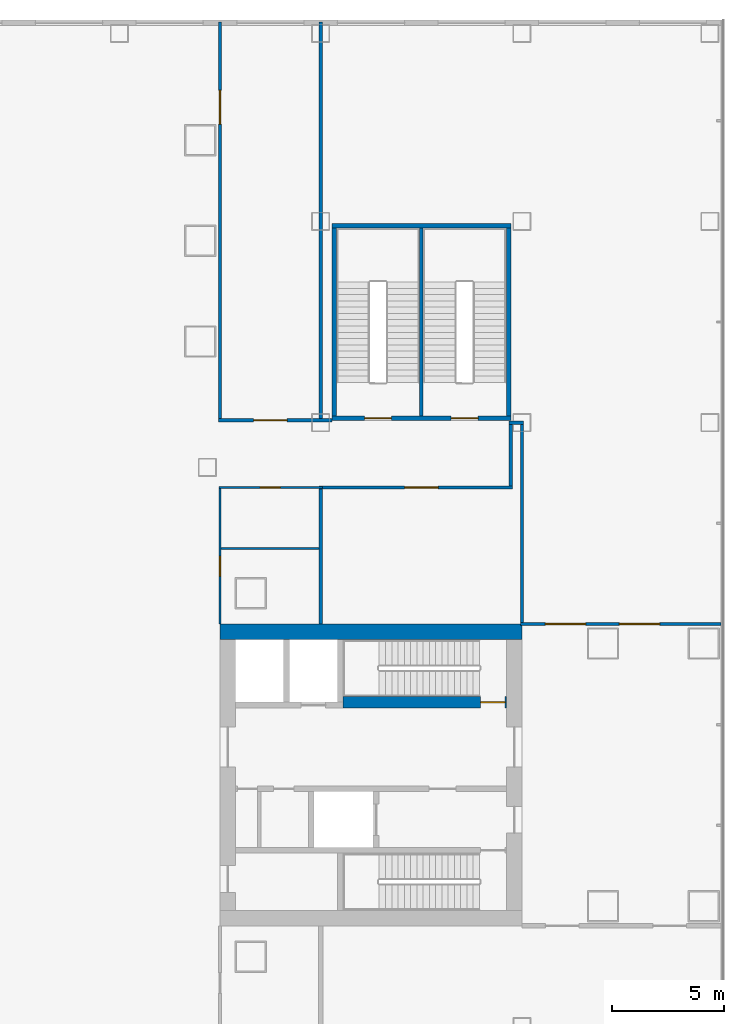
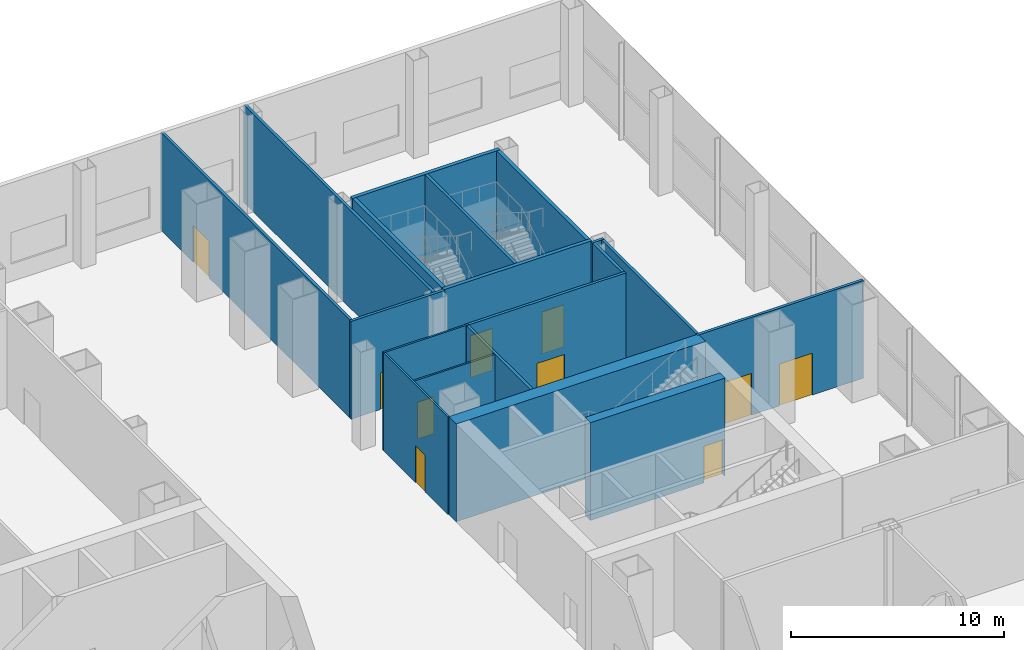
# One storey, part 23 of 33: 19 walls, 10 doors, 10 openings.
"""IFC4 building model written with IfcOpenShell, lengths in metres."""

from ifc_helpers import new_model, si_unit, direction, frame, frame_2d, origin, place, context, subcontext, project, spatial, rectangle, extrude, material, layer, layer_set, type_object, element, fill, save


model = new_model("IFC4")

# Units and contexts
model_context = context("Model", 3, precision=1e-05, world=origin(), true_north=direction((0.0, 1.0)))
body_context = subcontext(model_context, "Body", "Model", "MODEL_VIEW")
ifc_project = project(units=[si_unit("LENGTHUNIT", "METRE"), si_unit("AREAUNIT", "SQUARE_METRE"), si_unit("VOLUMEUNIT", "CUBIC_METRE"), si_unit("PLANEANGLEUNIT", "RADIAN"), si_unit("MASSUNIT", "GRAM", prefix="KILO")], contexts=[model_context])

# Site, building, storey
site_placement = place(None, origin())
site = spatial("IfcSite", under=ifc_project, at=site_placement, CompositionType="ELEMENT")
building_placement = place(site_placement, origin())
building = spatial("IfcBuilding", under=site, at=building_placement, Name="Shamsa Quay Exchange Towers", CompositionType="ELEMENT")
storey_placement = place(building_placement, frame((0.0, 0.0, 6.5)))
storey = spatial("IfcBuildingStorey", under=building, at=storey_placement, Name="L01", CompositionType="ELEMENT", Elevation=6.5)

# Wall
ifc_material_1 = material(Name="Concrete C80/95", Category="concrete")
ifc_layer_1 = layer(ifc_material_1, 0.699951171875)
ifc_layer_set_1 = layer_set([ifc_layer_1], Name="CORE WALL 700 C80/95")
wall_type_1 = type_object("IfcWallType", Name="CORE WALL 700 C80/95", PredefinedType="SHEAR", material=ifc_layer_set_1)
wall_1_placement = place(storey_placement, frame((54.0, 6.39990234375, 0.0), z_axis=(0.0, 0.0, 1.0), x_axis=(-1.0, 0.0, 0.0)))
element("IfcWall", 1, at=wall_1_placement, inside=storey, type_object=wall_type_1, Name="Core wall T2B-L01-PN", PredefinedType="SHEAR", context=body_context, shape_type="SweptSolid", body=[
    extrude(rectangle(XDim=13.5, YDim=0.699951171875, at=frame_2d((6.75, 0.0))), origin(), (0.0, 0.0, 1.0), 5.60009765625),
])

# Wall, opening, door
ifc_material_2 = material(Name="Gypsum board partition on metal studs")
ifc_layer_2 = layer(ifc_material_2, 0.10009765625)
ifc_layer_set_2 = layer_set([ifc_layer_2], Name="Partition 100 mm NOT RATED")
wall_type_2 = type_object("IfcWallType", Name="Partition 100 mm NOT RATED", PredefinedType="PARTITIONING", material=ifc_layer_set_2)
wall_2_placement = place(storey_placement, frame((40.5, 12.799560546875, 0.0), z_axis=(0.0, 0.0, 1.0), x_axis=(0.0, -1.0, 0.0)))
wall_2 = element("IfcWall", 2, at=wall_2_placement, inside=storey, type_object=wall_type_2, Name="Partition PD-L01-W11", PredefinedType="PARTITIONING", context=body_context, shape_type="SweptSolid", body=[
    extrude(rectangle(XDim=6.049560546875, YDim=0.10009765625, at=frame_2d((3.02490234375, 0.0))), origin(), (0.0, 0.0, 1.0), 5.60009765625),
])
opening_1_placement = place(wall_2_placement, frame((3.01220703125, 0.0, 0.0)))
opening_1 = element("IfcOpeningElement", 3, at=opening_1_placement, cuts=wall_2, Name="Opening PD-L01-D30", PredefinedType="OPENING", context=body_context, shape_type="SweptSolid", body=[
    extrude(rectangle(XDim=0.89990234375, YDim=2.10009765625, at=frame_2d((0.449951171875, 1.050048828125))), frame((0.0, 0.06005859375, 0.0), z_axis=(0.0, -1.0, 0.0), x_axis=(1.0, 0.0, 0.0)), (0.0, 0.0, 1.0), 0.1201171875),
])
ifc_material_3 = material(Name="Timber door leaf in a metal frame", Category="wood")
door_type_1 = type_object("IfcDoorType", Name="Door 900x2100 NOT RATED", OperationType="NOTDEFINED", PredefinedType="DOOR", material=ifc_material_3)
door_1_placement = place(opening_1_placement, origin())
door_1 = element("IfcDoor", 4, at=door_1_placement, inside=storey, type_object=door_type_1, Name="Door PD-L01-D30", OperationType="SINGLE_SWING_LEFT", OverallHeight=2.10009765625, OverallWidth=0.89990234375, PredefinedType="DOOR", context=body_context, shape_type="SweptSolid", body=[
    extrude(rectangle(XDim=0.89990234375, YDim=2.10009765625, at=frame_2d((0.449951171875, 1.050048828125))), frame((0.0, 0.02490234375, 0.0), z_axis=(0.0, -1.0, 0.0), x_axis=(1.0, 0.0, 0.0)), (0.0, 0.0, 1.0), 0.050048828125),
])
fill(opening_1, door_1)

wall_3_placement = place(storey_placement, frame((45.074951171875, 12.849609375, 0.0), z_axis=(0.0, 0.0, 1.0), x_axis=(-1.0, 0.0, 0.0)))
wall_3 = element("IfcWall", 5, at=wall_3_placement, inside=storey, type_object=wall_type_2, Name="Partition PD-L01-W31", PredefinedType="PARTITIONING", context=body_context, shape_type="SweptSolid", body=[
    extrude(rectangle(XDim=4.625, YDim=0.10009765625, at=frame_2d((2.3125, 0.0))), origin(), (0.0, 0.0, 1.0), 5.60009765625),
])
opening_2_placement = place(wall_3_placement, frame((1.875, 0.0, 0.0)))
opening_2 = element("IfcOpeningElement", 6, at=opening_2_placement, cuts=wall_3, Name="Opening PD-L01-D32", PredefinedType="OPENING", context=body_context, shape_type="SweptSolid", body=[
    extrude(rectangle(XDim=0.89990234375, YDim=2.10009765625, at=frame_2d((0.449951171875, 1.050048828125))), frame((0.0, 0.06005859375, 0.0), z_axis=(0.0, -1.0, 0.0), x_axis=(1.0, 0.0, 0.0)), (0.0, 0.0, 1.0), 0.1201171875),
])
door_2_placement = place(opening_2_placement, origin())
door_2 = element("IfcDoor", 7, at=door_2_placement, inside=storey, type_object=door_type_1, Name="Door PD-L01-D32", OperationType="SINGLE_SWING_LEFT", OverallHeight=2.10009765625, OverallWidth=0.89990234375, PredefinedType="DOOR", context=body_context, shape_type="SweptSolid", body=[
    extrude(rectangle(XDim=0.89990234375, YDim=2.10009765625, at=frame_2d((0.449951171875, 1.050048828125))), frame((0.0, 0.02490234375, 0.0), z_axis=(0.0, -1.0, 0.0), x_axis=(1.0, 0.0, 0.0)), (0.0, 0.0, 1.0), 0.050048828125),
])
fill(opening_2, door_2)

# Wall
wall_4_placement = place(storey_placement, frame((44.925048828125, 10.125, 0.0), z_axis=(0.0, 0.0, 1.0), x_axis=(-1.0, 0.0, 0.0)))
element("IfcWall", 8, at=wall_4_placement, inside=storey, type_object=wall_type_2, Name="Partition PD-L01-W68", PredefinedType="PARTITIONING", context=body_context, shape_type="SweptSolid", body=[
    extrude(rectangle(XDim=4.375, YDim=0.10009765625, at=frame_2d((2.1875, 0.0))), origin(), (0.0, 0.0, 1.0), 5.60009765625),
])

# Wall, opening, door
ifc_layer_3 = layer(ifc_material_2, 0.14990234375)
ifc_layer_set_3 = layer_set([ifc_layer_3], Name="Partition 150 mm EI 60")
wall_type_3 = type_object("IfcWallType", Name="Partition 150 mm EI 60", PredefinedType="PARTITIONING", material=ifc_layer_set_3)
wall_5_placement = place(storey_placement, frame((40.5, 15.924560546875, 0.0), z_axis=(0.0, 0.0, 1.0), x_axis=(0.0, 1.0, 0.0)))
wall_5 = element("IfcWall", 9, at=wall_5_placement, inside=storey, type_object=wall_type_3, Name="Partition PD-L01-W08", PredefinedType="PARTITIONING", context=body_context, shape_type="SweptSolid", body=[
    extrude(rectangle(XDim=17.73046875, YDim=0.14990234375, at=frame_2d((8.865234375, 0.0))), origin(), (0.0, 0.0, 1.0), 5.60009765625),
])
opening_3_placement = place(wall_5_placement, frame((13.17529296875, 0.0, 0.0)))
opening_3 = element("IfcOpeningElement", 10, at=opening_3_placement, cuts=wall_5, Name="Opening PD-L01-D31", PredefinedType="OPENING", context=body_context, shape_type="SweptSolid", body=[
    extrude(rectangle(XDim=1.5, YDim=2.10009765625, at=frame_2d((0.75, 1.050048828125))), frame((0.0, 0.0849609375, 0.0), z_axis=(0.0, -1.0, 0.0), x_axis=(1.0, 0.0, 0.0)), (0.0, 0.0, 1.0), 0.169921875),
])
door_type_2 = type_object("IfcDoorType", Name="Door 1500x2100 FD30S pair", OperationType="NOTDEFINED", PredefinedType="DOOR", material=ifc_material_3)
door_3_placement = place(opening_3_placement, origin())
door_3 = element("IfcDoor", 11, at=door_3_placement, inside=storey, type_object=door_type_2, Name="Door PD-L01-D31", OperationType="DOUBLE_DOOR_SINGLE_SWING", OverallHeight=2.10009765625, OverallWidth=1.5, PredefinedType="DOOR", context=body_context, shape_type="SweptSolid", body=[
    extrude(rectangle(XDim=1.5, YDim=2.10009765625, at=frame_2d((0.75, 1.050048828125))), frame((0.0, 0.02490234375, 0.0), z_axis=(0.0, -1.0, 0.0), x_axis=(1.0, 0.0, 0.0)), (0.0, 0.0, 1.0), 0.050048828125),
])
fill(opening_3, door_3)

# Wall, openings, doors
wall_6_placement = place(storey_placement, frame((62.905029296875, 6.75, 0.0), z_axis=(0.0, 0.0, 1.0), x_axis=(-1.0, 0.0, 0.0)))
wall_6 = element("IfcWall", 12, at=wall_6_placement, inside=storey, type_object=wall_type_3, Name="Partition PD-L01-W17", PredefinedType="PARTITIONING", context=body_context, shape_type="SweptSolid", body=[
    extrude(rectangle(XDim=8.97998046875, YDim=0.14990234375, at=frame_2d((4.489990234375, 0.0))), origin(), (0.0, 0.0, 1.0), 5.60009765625),
])
opening_4_placement = place(wall_6_placement, frame((2.7548828125, 0.0, 0.0)))
opening_4 = element("IfcOpeningElement", 13, at=opening_4_placement, cuts=wall_6, Name="Opening PD-L01-D37", PredefinedType="OPENING", context=body_context, shape_type="SweptSolid", body=[
    extrude(rectangle(XDim=1.800048828125, YDim=2.39990234375, at=frame_2d((0.89990234375, 1.199951171875))), frame((0.0, 0.0849609375, 0.0), z_axis=(0.0, -1.0, 0.0), x_axis=(1.0, 0.0, 0.0)), (0.0, 0.0, 1.0), 0.169921875),
])
opening_5_placement = place(wall_6_placement, frame((6.054931640625, 0.0, 0.0)))
opening_5 = element("IfcOpeningElement", 14, at=opening_5_placement, cuts=wall_6, Name="Opening PD-L01-D38", PredefinedType="OPENING", context=body_context, shape_type="SweptSolid", body=[
    extrude(rectangle(XDim=1.800048828125, YDim=2.39990234375, at=frame_2d((0.89990234375, 1.199951171875))), frame((0.0, 0.0849609375, 0.0), z_axis=(0.0, -1.0, 0.0), x_axis=(1.0, 0.0, 0.0)), (0.0, 0.0, 1.0), 0.169921875),
])
door_type_3 = type_object("IfcDoorType", Name="Door 1800x2400 FD30S pair", OperationType="NOTDEFINED", PredefinedType="DOOR", material=ifc_material_3)
door_4_placement = place(opening_4_placement, origin())
door_4 = element("IfcDoor", 15, at=door_4_placement, inside=storey, type_object=door_type_3, Name="Door PD-L01-D37", OperationType="DOUBLE_DOOR_SINGLE_SWING", OverallHeight=2.39990234375, OverallWidth=1.800048828125, PredefinedType="DOOR", context=body_context, shape_type="SweptSolid", body=[
    extrude(rectangle(XDim=1.800048828125, YDim=2.39990234375, at=frame_2d((0.89990234375, 1.199951171875))), frame((0.0, 0.02490234375, 0.0), z_axis=(0.0, -1.0, 0.0), x_axis=(1.0, 0.0, 0.0)), (0.0, 0.0, 1.0), 0.050048828125),
])
fill(opening_4, door_4)
door_5_placement = place(opening_5_placement, origin())
door_5 = element("IfcDoor", 16, at=door_5_placement, inside=storey, type_object=door_type_3, Name="Door PD-L01-D38", OperationType="DOUBLE_DOOR_SINGLE_SWING", OverallHeight=2.39990234375, OverallWidth=1.800048828125, PredefinedType="DOOR", context=body_context, shape_type="SweptSolid", body=[
    extrude(rectangle(XDim=1.800048828125, YDim=2.39990234375, at=frame_2d((0.89990234375, 1.199951171875))), frame((0.0, 0.02490234375, 0.0), z_axis=(0.0, -1.0, 0.0), x_axis=(1.0, 0.0, 0.0)), (0.0, 0.0, 1.0), 0.050048828125),
])
fill(opening_5, door_5)

# Wall, opening, door
wall_7_placement = place(storey_placement, frame((45.5, 15.849609375, 0.0), z_axis=(0.0, 0.0, 1.0), x_axis=(-1.0, 0.0, 0.0)))
wall_7 = element("IfcWall", 17, at=wall_7_placement, inside=storey, type_object=wall_type_3, Name="Partition PD-L01-W21", PredefinedType="PARTITIONING", context=body_context, shape_type="SweptSolid", body=[
    extrude(rectangle(XDim=5.074951171875, YDim=0.14990234375, at=frame_2d((2.53759765625, 0.0))), origin(), (0.0, 0.0, 1.0), 5.60009765625),
])
opening_6_placement = place(wall_7_placement, frame((2.0, 0.0, 0.0)))
opening_6 = element("IfcOpeningElement", 18, at=opening_6_placement, cuts=wall_7, Name="Opening PD-L01-D33", PredefinedType="OPENING", context=body_context, shape_type="SweptSolid", body=[
    extrude(rectangle(XDim=1.5, YDim=2.10009765625, at=frame_2d((0.75, 1.050048828125))), frame((0.0, 0.0849609375, 0.0), z_axis=(0.0, -1.0, 0.0), x_axis=(1.0, 0.0, 0.0)), (0.0, 0.0, 1.0), 0.169921875),
])
door_6_placement = place(opening_6_placement, origin())
door_6 = element("IfcDoor", 19, at=door_6_placement, inside=storey, type_object=door_type_2, Name="Door PD-L01-D33", OperationType="DOUBLE_DOOR_SINGLE_SWING", OverallHeight=2.10009765625, OverallWidth=1.5, PredefinedType="DOOR", context=body_context, shape_type="SweptSolid", body=[
    extrude(rectangle(XDim=1.5, YDim=2.10009765625, at=frame_2d((0.75, 1.050048828125))), frame((0.0, 0.02490234375, 0.0), z_axis=(0.0, -1.0, 0.0), x_axis=(1.0, 0.0, 0.0)), (0.0, 0.0, 1.0), 0.050048828125),
])
fill(opening_6, door_6)

# Wall
wall_8_placement = place(storey_placement, frame((53.5, 15.675048828125, 0.0), z_axis=(0.0, 0.0, 1.0), x_axis=(0.0, -1.0, 0.0)))
element("IfcWall", 20, at=wall_8_placement, inside=storey, type_object=wall_type_3, Name="Partition PD-L01-W29", PredefinedType="PARTITIONING", context=body_context, shape_type="SweptSolid", body=[
    extrude(rectangle(XDim=2.75048828125, YDim=0.14990234375, at=frame_2d((1.375244140625, 0.0))), origin(), (0.0, 0.0, 1.0), 5.60009765625),
])

# Wall, opening, door
wall_9_placement = place(storey_placement, frame((53.574951171875, 12.849609375, 0.0), z_axis=(0.0, 0.0, 1.0), x_axis=(-1.0, 0.0, 0.0)))
wall_9 = element("IfcWall", 21, at=wall_9_placement, inside=storey, type_object=wall_type_3, Name="Partition PD-L01-W30", PredefinedType="PARTITIONING", context=body_context, shape_type="SweptSolid", body=[
    extrude(rectangle(XDim=8.64990234375, YDim=0.14990234375, at=frame_2d((4.324951171875, 0.0))), origin(), (0.0, 0.0, 1.0), 5.60009765625),
])
opening_7_placement = place(wall_9_placement, frame((3.324951171875, 0.0, 0.0)))
opening_7 = element("IfcOpeningElement", 22, at=opening_7_placement, cuts=wall_9, Name="Opening PD-L01-D34", PredefinedType="OPENING", context=body_context, shape_type="SweptSolid", body=[
    extrude(rectangle(XDim=1.5, YDim=2.10009765625, at=frame_2d((0.75, 1.050048828125))), frame((0.0, 0.0849609375, 0.0), z_axis=(0.0, -1.0, 0.0), x_axis=(1.0, 0.0, 0.0)), (0.0, 0.0, 1.0), 0.169921875),
])
door_7_placement = place(opening_7_placement, origin())
door_7 = element("IfcDoor", 23, at=door_7_placement, inside=storey, type_object=door_type_2, Name="Door PD-L01-D34", OperationType="DOUBLE_DOOR_SINGLE_SWING", OverallHeight=2.10009765625, OverallWidth=1.5, PredefinedType="DOOR", context=body_context, shape_type="SweptSolid", body=[
    extrude(rectangle(XDim=1.5, YDim=2.10009765625, at=frame_2d((0.75, 1.050048828125))), frame((0.0, 0.02490234375, 0.0), z_axis=(0.0, -1.0, 0.0), x_axis=(1.0, 0.0, 0.0)), (0.0, 0.0, 1.0), 0.050048828125),
])
fill(opening_7, door_7)

# Walls
wall_10_placement = place(storey_placement, frame((53.425048828125, 15.75, 0.0)))
element("IfcWall", 24, at=wall_10_placement, inside=storey, type_object=wall_type_3, Name="Partition PD-L01-W51", PredefinedType="PARTITIONING", context=body_context, shape_type="SweptSolid", body=[
    extrude(rectangle(XDim=0.64990234375, YDim=0.14990234375, at=frame_2d((0.324951171875, 0.0))), origin(), (0.0, 0.0, 1.0), 5.60009765625),
])
wall_11_placement = place(storey_placement, frame((54.0, 15.675048828125, 0.0), z_axis=(0.0, 0.0, 1.0), x_axis=(0.0, -1.0, 0.0)))
element("IfcWall", 25, at=wall_11_placement, inside=storey, type_object=wall_type_3, Name="Partition PD-L01-W54", PredefinedType="PARTITIONING", context=body_context, shape_type="SweptSolid", body=[
    extrude(rectangle(XDim=8.85009765625, YDim=0.14990234375, at=frame_2d((4.425048828125, 0.0))), origin(), (0.0, 0.0, 1.0), 5.60009765625),
])
wall_12_placement = place(storey_placement, frame((45.0, 33.655029296875, 0.0), z_axis=(0.0, 0.0, 1.0), x_axis=(0.0, -1.0, 0.0)))
element("IfcWall", 26, at=wall_12_placement, inside=storey, type_object=wall_type_3, Name="Partition PD-L01-W56", PredefinedType="PARTITIONING", context=body_context, shape_type="SweptSolid", body=[
    extrude(rectangle(XDim=17.73046875, YDim=0.14990234375, at=frame_2d((8.865234375, 0.0))), origin(), (0.0, 0.0, 1.0), 5.60009765625),
])
wall_13_placement = place(storey_placement, frame((45.0, 12.774658203125, 0.0), z_axis=(0.0, 0.0, 1.0), x_axis=(0.0, -1.0, 0.0)))
element("IfcWall", 27, at=wall_13_placement, inside=storey, type_object=wall_type_3, Name="Partition PD-L01-W57", PredefinedType="PARTITIONING", context=body_context, shape_type="SweptSolid", body=[
    extrude(rectangle(XDim=6.024658203125, YDim=0.14990234375, at=frame_2d((3.01220703125, 0.0))), origin(), (0.0, 0.0, 1.0), 5.60009765625),
])

# Wall, opening, door
ifc_material_4 = material(Name="Concrete C50/60", Category="concrete")
ifc_layer_4 = layer(ifc_material_4, 0.5)
ifc_layer_set_4 = layer_set([ifc_layer_4], Name="SHAFT WALL 500 C50/60")
wall_type_4 = type_object("IfcWallType", Name="SHAFT WALL 500 C50/60", PredefinedType="SHEAR", material=ifc_layer_set_4)
wall_14_placement = place(storey_placement, frame((46.0, 3.25, 0.0)))
wall_14 = element("IfcWall", 28, at=wall_14_placement, inside=storey, type_object=wall_type_4, Name="Shaft wall T2B-L01-N", PredefinedType="SHEAR", context=body_context, shape_type="SweptSolid", body=[
    extrude(rectangle(XDim=7.300048828125, YDim=0.5, at=frame_2d((3.64990234375, 0.0))), origin(), (0.0, 0.0, 1.0), 5.60009765625),
])
opening_8_placement = place(wall_14_placement, frame((6.14990234375, 0.0, 0.0)))
opening_8 = element("IfcOpeningElement", 29, at=opening_8_placement, cuts=wall_14, Name="Opening T2B-L01-SD10", PredefinedType="OPENING", context=body_context, shape_type="SweptSolid", body=[
    extrude(rectangle(XDim=1.10009765625, YDim=2.10009765625, at=frame_2d((0.550048828125, 1.050048828125))), frame((0.0, 0.260009765625, 0.0), z_axis=(0.0, -1.0, 0.0), x_axis=(1.0, 0.0, 0.0)), (0.0, 0.0, 1.0), 0.52001953125),
])
ifc_material_5 = material(Name="Steel, fire rated", Category="steel")
door_type_4 = type_object("IfcDoorType", Name="STAIR DOOR 1100", OperationType="SINGLE_SWING_LEFT", PredefinedType="DOOR", material=ifc_material_5)
door_8_placement = place(opening_8_placement, origin())
door_8 = element("IfcDoor", 30, at=door_8_placement, inside=storey, type_object=door_type_4, Name="T2B-L01-SD10", OperationType="SINGLE_SWING_RIGHT", OverallHeight=2.10009765625, OverallWidth=1.10009765625, PredefinedType="DOOR", context=body_context, shape_type="SweptSolid", body=[
    extrude(rectangle(XDim=1.10009765625, YDim=2.10009765625, at=frame_2d((0.550048828125, 1.050048828125))), frame((0.0, 0.02490234375, 0.0), z_axis=(0.0, -1.0, 0.0), x_axis=(1.0, 0.0, 0.0)), (0.0, 0.0, 1.0), 0.050048828125),
])
fill(opening_8, door_8)

# Wall, openings, doors
ifc_layer_5 = layer(ifc_material_4, 0.199951171875)
ifc_layer_set_5 = layer_set([ifc_layer_5], Name="STAIR ENCLOSURE WALL 200 C50/60")
wall_type_5 = type_object("IfcWallType", Name="STAIR ENCLOSURE WALL 200 C50/60", PredefinedType="SHEAR", material=ifc_layer_set_5)
wall_15_placement = place(storey_placement, frame((45.5, 15.949951171875, 0.0)))
wall_15 = element("IfcWall", 31, at=wall_15_placement, inside=storey, type_object=wall_type_5, Name="Stair enclosure wall PS4 inward", PredefinedType="SHEAR", context=body_context, shape_type="SweptSolid", body=[
    extrude(rectangle(XDim=8.0, YDim=0.199951171875, at=frame_2d((4.0, 0.0))), origin(), (0.0, 0.0, 1.0), 5.60009765625),
])
opening_9_placement = place(wall_15_placement, frame((1.46240234375, 0.0, 0.0)))
opening_9 = element("IfcOpeningElement", 32, at=opening_9_placement, cuts=wall_15, Name="Opening PS4A-L01-SD01", PredefinedType="OPENING", context=body_context, shape_type="SweptSolid", body=[
    extrude(rectangle(XDim=1.199951171875, YDim=2.39990234375, at=frame_2d((0.60009765625, 1.199951171875))), frame((0.0, 0.10986328125, 0.0), z_axis=(0.0, -1.0, 0.0), x_axis=(1.0, 0.0, 0.0)), (0.0, 0.0, 1.0), 0.219970703125),
])
opening_10_placement = place(wall_15_placement, frame((5.33740234375, 0.0, 0.0)))
opening_10 = element("IfcOpeningElement", 33, at=opening_10_placement, cuts=wall_15, Name="Opening PS4B-L01-SD01", PredefinedType="OPENING", context=body_context, shape_type="SweptSolid", body=[
    extrude(rectangle(XDim=1.199951171875, YDim=2.39990234375, at=frame_2d((0.60009765625, 1.199951171875))), frame((0.0, 0.10986328125, 0.0), z_axis=(0.0, -1.0, 0.0), x_axis=(1.0, 0.0, 0.0)), (0.0, 0.0, 1.0), 0.219970703125),
])
door_type_5 = type_object("IfcDoorType", Name="PODIUM STAIR DOOR 1200", OperationType="SINGLE_SWING_LEFT", PredefinedType="DOOR", material=ifc_material_5)
door_9_placement = place(opening_9_placement, origin())
door_9 = element("IfcDoor", 34, at=door_9_placement, inside=storey, type_object=door_type_5, Name="PS4A-L01-SD01", OperationType="SINGLE_SWING_LEFT", OverallHeight=2.39990234375, OverallWidth=1.199951171875, PredefinedType="DOOR", context=body_context, shape_type="SweptSolid", body=[
    extrude(rectangle(XDim=1.199951171875, YDim=2.39990234375, at=frame_2d((0.60009765625, 1.199951171875))), frame((0.0, 0.02490234375, 0.0), z_axis=(0.0, -1.0, 0.0), x_axis=(1.0, 0.0, 0.0)), (0.0, 0.0, 1.0), 0.050048828125),
])
fill(opening_9, door_9)
door_10_placement = place(opening_10_placement, origin())
door_10 = element("IfcDoor", 35, at=door_10_placement, inside=storey, type_object=door_type_5, Name="PS4B-L01-SD01", OperationType="SINGLE_SWING_RIGHT", OverallHeight=2.39990234375, OverallWidth=1.199951171875, PredefinedType="DOOR", context=body_context, shape_type="SweptSolid", body=[
    extrude(rectangle(XDim=1.199951171875, YDim=2.39990234375, at=frame_2d((0.60009765625, 1.199951171875))), frame((0.0, 0.02490234375, 0.0), z_axis=(0.0, -1.0, 0.0), x_axis=(1.0, 0.0, 0.0)), (0.0, 0.0, 1.0), 0.050048828125),
])
fill(opening_10, door_10)

# Walls
wall_16_placement = place(storey_placement, frame((45.5, 24.550048828125, 0.0)))
element("IfcWall", 36, at=wall_16_placement, inside=storey, type_object=wall_type_5, Name="Stair enclosure wall PS4 outward", PredefinedType="SHEAR", context=body_context, shape_type="SweptSolid", body=[
    extrude(rectangle(XDim=8.0, YDim=0.199951171875, at=frame_2d((4.0, 0.0))), origin(), (0.0, 0.0, 1.0), 5.60009765625),
])
for number, where, z_axis, x_axis, name in (
    (37, (45.60009765625, 16.050048828125, 0.0), (0.0, 0.0, 1.0), (0.0, 1.0, 0.0), "Stair enclosure wall PS4 west"),
    (38, (53.39990234375, 16.050048828125, 0.0), (0.0, 0.0, 1.0), (0.0, 1.0, 0.0), "Stair enclosure wall PS4 east"),
):
    element("IfcWall", number, at=place(storey_placement, frame(where, z_axis=z_axis, x_axis=x_axis)), inside=storey, type_object=wall_type_5, Name=name, PredefinedType="SHEAR", context=body_context, shape_type="SweptSolid", body=[
        extrude(rectangle(XDim=8.39990234375, YDim=0.199951171875, at=frame_2d((4.199951171875, 0.0))), origin(), (0.0, 0.0, 1.0), 5.60009765625),
    ])
ifc_layer_6 = layer(ifc_material_4, 0.14990234375)
ifc_layer_set_6 = layer_set([ifc_layer_6], Name="STAIR PARTITION WALL 150 C50/60")
wall_type_6 = type_object("IfcWallType", Name="STAIR PARTITION WALL 150 C50/60", PredefinedType="SHEAR", material=ifc_layer_set_6)
wall_17_placement = place(storey_placement, frame((49.5, 16.050048828125, 0.0), z_axis=(0.0, 0.0, 1.0), x_axis=(0.0, 1.0, 0.0)))
element("IfcWall", 39, at=wall_17_placement, inside=storey, type_object=wall_type_6, Name="Stair enclosure wall PS4 between the stairs", PredefinedType="SHEAR", context=body_context, shape_type="SweptSolid", body=[
    extrude(rectangle(XDim=8.39990234375, YDim=0.14990234375, at=frame_2d((4.199951171875, 0.0))), origin(), (0.0, 0.0, 1.0), 5.60009765625),
])

save(model, "model.ifc")
